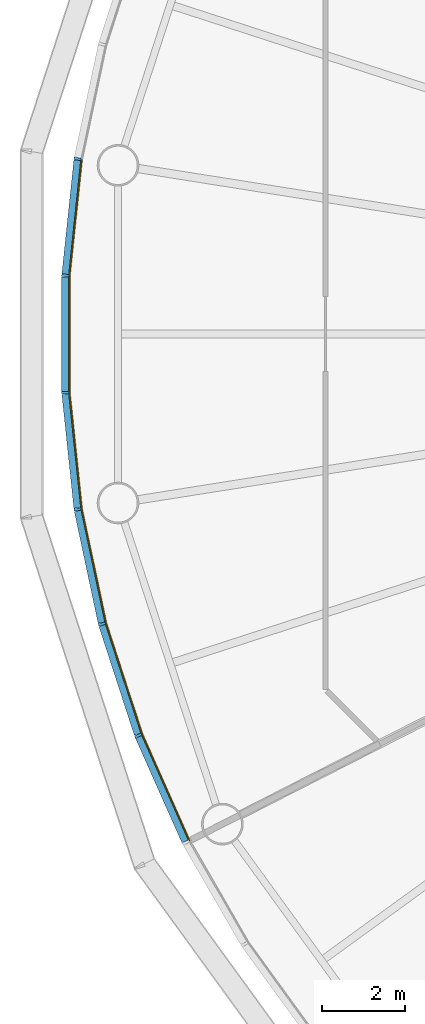
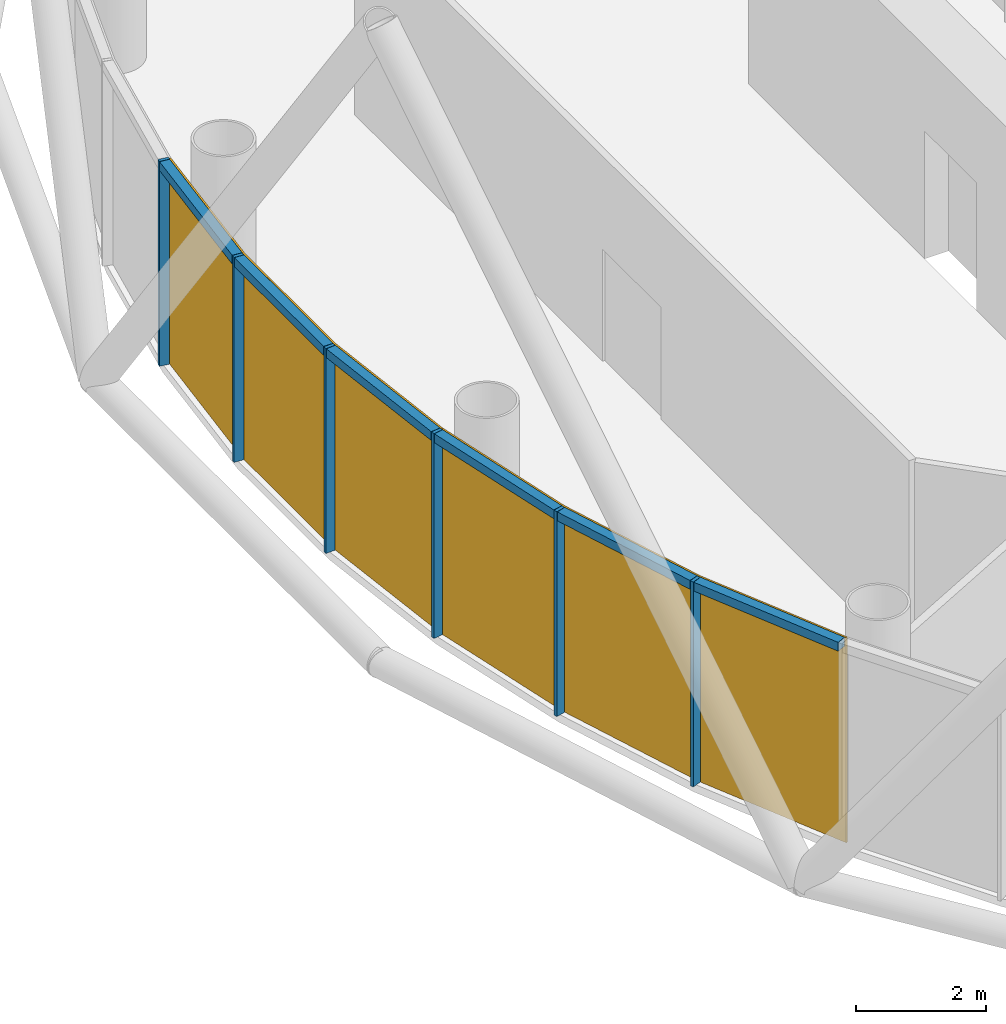
# One storey, part 8 of 13: 12 members, 2 curtain walls.
"""IFC4 building model written with IfcOpenShell, lengths in metres."""

from ifc_helpers import new_model, si_unit, direction, frame, origin, origin_2d, place, context, subcontext, project, spatial, polyline, rectangle, outline, extrude, material, layer, layer_set, material_profile, profile_set, type_object, element, aggregate, save


model = new_model("IFC4")

# Units and contexts
model_context = context("Model", 3, precision=1e-05, world=origin(), true_north=direction((0.0, 1.0)))
body_context = subcontext(model_context, "Body", "Model", "MODEL_VIEW")
ifc_project = project(units=[si_unit("LENGTHUNIT", "METRE"), si_unit("AREAUNIT", "SQUARE_METRE"), si_unit("VOLUMEUNIT", "CUBIC_METRE"), si_unit("PLANEANGLEUNIT", "RADIAN"), si_unit("MASSUNIT", "GRAM", prefix="KILO")], contexts=[model_context])

# Member
ifc_material_1 = material(Name="Anodised aluminium", Category="aluminium")
ifc_material_profile_1 = material_profile(ifc_material_1, rectangle(XDim=0.06005859375, YDim=0.169921875, at=origin_2d()), Name="Mullion 60 x 170 mm anodised aluminium")
ifc_profile_set_1 = profile_set([ifc_material_profile_1], Name="Anodised aluminium")
member_type_1 = type_object("IfcMemberType", Name="Mullion 60 x 170 mm anodised aluminium", PredefinedType="MULLION", material=ifc_profile_set_1)
site_placement = place(None, origin())
building_placement = place(site_placement, origin())
storey_placement = place(building_placement, frame((0.0, 0.0, 218.0)))
member_1_placement = place(storey_placement, frame((63.446044921875, 84.205810546875, 0.0), z_axis=(0.0, 0.0, 1.0), x_axis=(-0.15643446504, -0.987688340595, 0.0)))
member_1 = element("IfcMember", 1, at=member_1_placement, type_object=member_type_1, Name="MULLION L50-27", PredefinedType="MULLION", context=body_context, shape_type="SweptSolid", body=[
    extrude(rectangle(XDim=0.06005859375, YDim=0.169921875, at=origin_2d()), origin(), (0.0, 0.0, 1.0), 3.85009765625),
])

member_2_placement = place(storey_placement, frame((63.15185546875, 81.406982421875, 0.0), z_axis=(0.0, 0.0, 1.0), x_axis=(-0.052335956243, -0.998629534755, 0.0)))
member_2 = element("IfcMember", 2, at=member_2_placement, type_object=member_type_1, Name="MULLION L50-28", PredefinedType="MULLION", context=body_context, shape_type="SweptSolid", body=[
    extrude(rectangle(XDim=0.06005859375, YDim=0.169921875, at=origin_2d()), origin(), (0.0, 0.0, 1.0), 3.85009765625),
])

member_3_placement = place(storey_placement, frame((63.15185546875, 78.593017578125, 0.0), z_axis=(0.0, 0.0, 1.0), x_axis=(0.052335956243, -0.998629534755, 0.0)))
member_3 = element("IfcMember", 3, at=member_3_placement, type_object=member_type_1, Name="MULLION L50-29", PredefinedType="MULLION", context=body_context, shape_type="SweptSolid", body=[
    extrude(rectangle(XDim=0.06005859375, YDim=0.169921875, at=origin_2d()), origin(), (0.0, 0.0, 1.0), 3.85009765625),
])

member_4_placement = place(storey_placement, frame((63.446044921875, 75.794189453125, 0.0), z_axis=(0.0, 0.0, 1.0), x_axis=(0.15643446504, -0.987688340595, 0.0)))
member_4 = element("IfcMember", 4, at=member_4_placement, type_object=member_type_1, Name="MULLION L50-30", PredefinedType="MULLION", context=body_context, shape_type="SweptSolid", body=[
    extrude(rectangle(XDim=0.06005859375, YDim=0.169921875, at=origin_2d()), origin(), (0.0, 0.0, 1.0), 3.85009765625),
])

member_5_placement = place(storey_placement, frame((64.031005859375, 73.041748046875, 0.0), z_axis=(0.0, 0.0, 1.0), x_axis=(0.258819045103, -0.965925826289, 0.0)))
member_5 = element("IfcMember", 5, at=member_5_placement, type_object=member_type_1, Name="MULLION L50-31", PredefinedType="MULLION", context=body_context, shape_type="SweptSolid", body=[
    extrude(rectangle(XDim=0.06005859375, YDim=0.169921875, at=origin_2d()), origin(), (0.0, 0.0, 1.0), 3.85009765625),
])

member_6_placement = place(storey_placement, frame((64.900634765625, 70.365234375, 0.0), z_axis=(0.0, 0.0, 1.0), x_axis=(0.358367949545, -0.933580426497, 0.0)))
member_6 = element("IfcMember", 6, at=member_6_placement, type_object=member_type_1, Name="MULLION L50-32", PredefinedType="MULLION", context=body_context, shape_type="SweptSolid", body=[
    extrude(rectangle(XDim=0.06005859375, YDim=0.169921875, at=origin_2d()), origin(), (0.0, 0.0, 1.0), 3.85009765625),
])

ifc_material_2 = material(Name="Anodised aluminium", Category="aluminium")
ifc_material_profile_2 = material_profile(ifc_material_2, rectangle(XDim=0.169921875, YDim=0.1650390625, at=origin_2d()), Name="Transom 165 x 170 mm anodised aluminium")
ifc_profile_set_2 = profile_set([ifc_material_profile_2], Name="Anodised aluminium")
member_type_2 = type_object("IfcMemberType", Name="Transom 165 x 170 mm anodised aluminium", PredefinedType="USERDEFINED", material=ifc_profile_set_2)
member_7_placement = place(storey_placement, frame((63.4423828125, 84.17138671875, 3.767578125), z_axis=(-0.104592190102, -0.994515195344, 0.0), x_axis=(0.994515195344, -0.104592190102, 0.0)))
member_7 = element("IfcMember", 7, at=member_7_placement, type_object=member_type_2, Name="TRANSOM L50-27", ObjectType="TRANSOM", PredefinedType="USERDEFINED", context=body_context, shape_type="SweptSolid", body=[
    extrude(rectangle(XDim=0.169921875, YDim=0.1650390625, at=origin_2d()), origin(), (0.0, 0.0, 1.0), 2.7451171875),
])

member_8_placement = place(storey_placement, frame((63.151611328125, 81.37255859375, 3.767578125), z_axis=(0.0, -1.0, 0.0), x_axis=(1.0, 0.0, 0.0)))
member_8 = element("IfcMember", 8, at=member_8_placement, type_object=member_type_2, Name="TRANSOM L50-28", ObjectType="TRANSOM", PredefinedType="USERDEFINED", context=body_context, shape_type="SweptSolid", body=[
    extrude(rectangle(XDim=0.169921875, YDim=0.1650390625, at=origin_2d()), origin(), (0.0, 0.0, 1.0), 2.7451171875),
])

member_9_placement = place(storey_placement, frame((63.1552734375, 78.55859375, 3.767578125), z_axis=(0.104592190102, -0.994515195344, 0.0), x_axis=(0.994515195344, 0.104592190102, 0.0)))
member_9 = element("IfcMember", 9, at=member_9_placement, type_object=member_type_2, Name="TRANSOM L50-29", ObjectType="TRANSOM", PredefinedType="USERDEFINED", context=body_context, shape_type="SweptSolid", body=[
    extrude(rectangle(XDim=0.169921875, YDim=0.1650390625, at=origin_2d()), origin(), (0.0, 0.0, 1.0), 2.7451171875),
])

member_10_placement = place(storey_placement, frame((63.453125, 75.760498046875, 3.767578125), z_axis=(0.207937468562, -0.97814212115, 0.0), x_axis=(0.97814212115, 0.207937468562, 0.0)))
member_10 = element("IfcMember", 10, at=member_10_placement, type_object=member_type_2, Name="TRANSOM L50-30", ObjectType="TRANSOM", PredefinedType="USERDEFINED", context=body_context, shape_type="SweptSolid", body=[
    extrude(rectangle(XDim=0.169921875, YDim=0.1650390625, at=origin_2d()), origin(), (0.0, 0.0, 1.0), 2.7451171875),
])

member_11_placement = place(storey_placement, frame((64.04150390625, 73.0087890625, 3.767578125), z_axis=(0.309041831781, -0.951048445774, 0.0), x_axis=(0.951048445774, 0.309041831781, 0.0)))
member_11 = element("IfcMember", 11, at=member_11_placement, type_object=member_type_2, Name="TRANSOM L50-31", ObjectType="TRANSOM", PredefinedType="USERDEFINED", context=body_context, shape_type="SweptSolid", body=[
    extrude(rectangle(XDim=0.169921875, YDim=0.1650390625, at=origin_2d()), origin(), (0.0, 0.0, 1.0), 2.7451171875),
])

member_12_placement = place(storey_placement, frame((64.91455078125, 70.333740234375, 3.767578125), z_axis=(0.406781987391, -0.913525267704, 0.0), x_axis=(0.913525267704, 0.406781987391, 0.0)))
member_12 = element("IfcMember", 12, at=member_12_placement, type_object=member_type_2, Name="TRANSOM L50-32", ObjectType="TRANSOM", PredefinedType="USERDEFINED", context=body_context, shape_type="SweptSolid", body=[
    extrude(rectangle(XDim=0.169921875, YDim=0.1650390625, at=origin_2d()), origin(), (0.0, 0.0, 1.0), 2.7451171875),
])

# Site, building, storey
site = spatial("IfcSite", under=ifc_project, at=site_placement, CompositionType="ELEMENT")
building = spatial("IfcBuilding", under=site, at=building_placement, Name="Entoto Ring Tower", CompositionType="ELEMENT")
storey = spatial("IfcBuildingStorey", under=building, at=storey_placement, Name="L50", CompositionType="ELEMENT", Elevation=218.0)

# Curtain wall
ifc_material_3 = material(Name="Clear low-iron glass", Category="glass")
ifc_layer = layer(ifc_material_3, 0.031982421875)
ifc_layer_set = layer_set([ifc_layer], Name="Clear low-iron glass")
curtain_wall_type = type_object("IfcCurtainWallType", Name="Curtain wall system CW4 glazing 32 mm", PredefinedType="NOTDEFINED", material=ifc_layer_set)
curtain_wall_1_placement = place(storey_placement, origin())
curtain_wall_1 = element("IfcCurtainWall", 13, at=curtain_wall_1_placement, inside=storey, type_object=curtain_wall_type, Name="CW4 L50-10", PredefinedType="NOTDEFINED", context=body_context, shape_type="SweptSolid", body=[
    extrude(outline(polyline([(63.530029296875, 84.1923828125), (63.23681640625, 81.402587890625), (63.23681640625, 78.597412109375), (63.530029296875, 75.8076171875), (63.5615234375, 75.8125), (63.268798828125, 78.59912109375), (63.268798828125, 81.40087890625), (63.5615234375, 84.1875), (63.530029296875, 84.1923828125)])), origin(), (0.0, 0.0, 1.0), 3.85009765625),
])

aggregate(curtain_wall_1, [member_1, member_2, member_3, member_7, member_8, member_9])

curtain_wall_2_placement = place(storey_placement, origin())
curtain_wall_2 = element("IfcCurtainWall", 14, at=curtain_wall_2_placement, inside=storey, type_object=curtain_wall_type, Name="CW4 L50-11", PredefinedType="NOTDEFINED", context=body_context, shape_type="SweptSolid", body=[
    extrude(outline(polyline([(63.530029296875, 75.8076171875), (64.11328125, 73.063720703125), (64.97998046875, 70.395751953125), (66.12109375, 67.8330078125), (66.149658203125, 67.84765625), (65.010009765625, 70.4072265625), (64.14404296875, 73.072021484375), (63.5615234375, 75.8125), (63.530029296875, 75.8076171875)])), origin(), (0.0, 0.0, 1.0), 3.85009765625),
])

aggregate(curtain_wall_2, [member_4, member_5, member_6, member_10, member_11, member_12])

save(model, "model.ifc")
